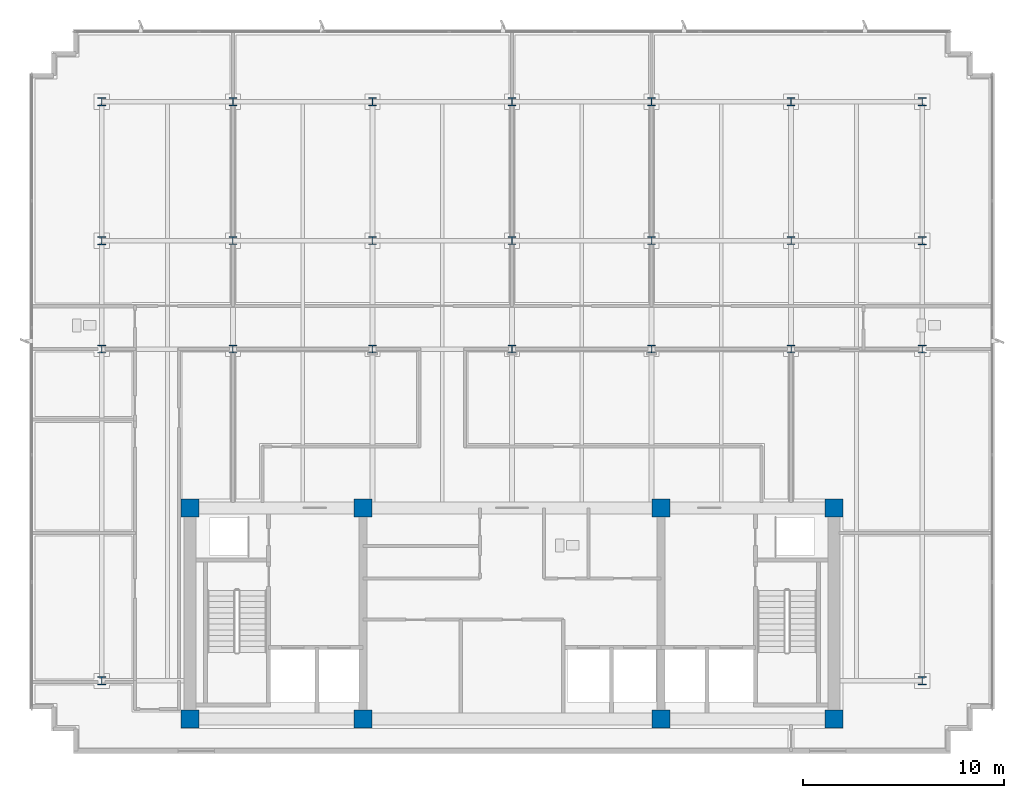
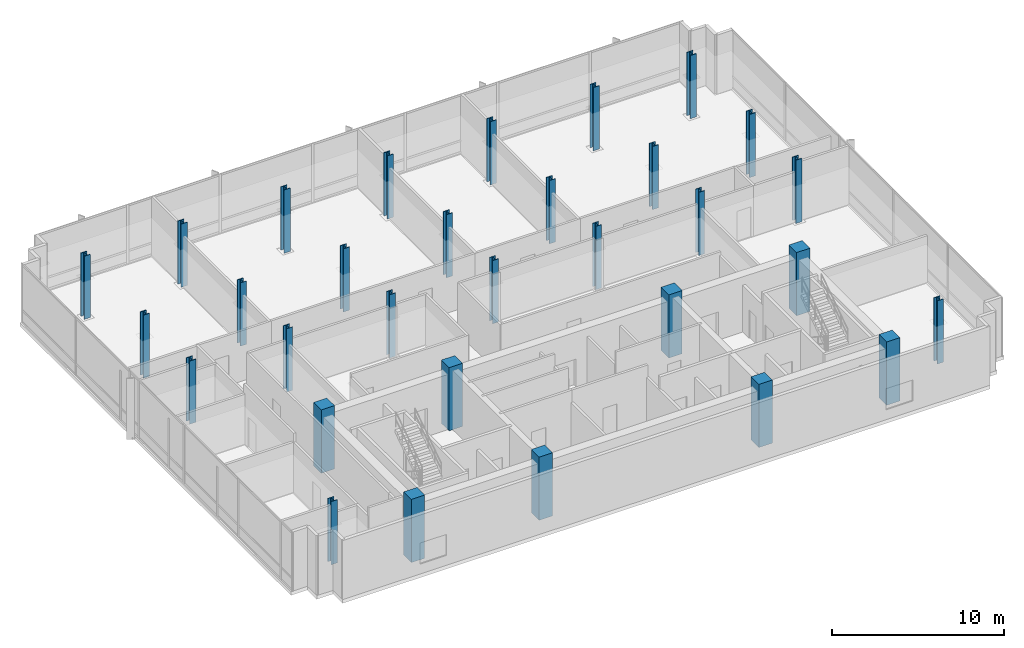
# One storey, part 1 of 17: 31 columns.
"""IFC4 building model written with IfcOpenShell, lengths in metres."""

from ifc_helpers import new_model, si_unit, direction, frame, origin, origin_2d, place, context, subcontext, project, spatial, rectangle, i_section, extrude, material, material_profile, profile_set, type_object, element, save


model = new_model("IFC4")

# Units and contexts
model_context = context("Model", 3, precision=1e-05, world=origin(), true_north=direction((0.0, 1.0)))
body_context = subcontext(model_context, "Body", "Model", "MODEL_VIEW")
ifc_project = project(units=[si_unit("LENGTHUNIT", "METRE"), si_unit("AREAUNIT", "SQUARE_METRE"), si_unit("VOLUMEUNIT", "CUBIC_METRE"), si_unit("PLANEANGLEUNIT", "RADIAN"), si_unit("MASSUNIT", "GRAM", prefix="KILO")], contexts=[model_context])

# Site, building, storey
site_placement = place(None, origin())
site = spatial("IfcSite", under=ifc_project, at=site_placement, CompositionType="ELEMENT")
building_placement = place(site_placement, origin())
building = spatial("IfcBuilding", under=site, at=building_placement, Name="Solmavex Isthmus Hotel", CompositionType="ELEMENT")
storey_placement = place(building_placement, frame((0.0, 0.0, 286.800048828125)))
storey = spatial("IfcBuildingStorey", under=building, at=storey_placement, Name="L78", CompositionType="ELEMENT", Elevation=286.800048828125)

# Columns
ifc_material_1 = material(Name="Concrete C50/60", Category="concrete")
ifc_material_profile_1 = material_profile(ifc_material_1, rectangle(XDim=0.89990234375, YDim=0.89990234375, at=origin_2d()), Name="RC900X900")
ifc_profile_set_1 = profile_set([ifc_material_profile_1], Name="Concrete C50/60")
column_type_1 = type_object("IfcColumnType", Name="COL-CC-900", PredefinedType="COLUMN", material=ifc_profile_set_1)
for number, where, z_axis, x_axis, name in (
    (1, (-16.0, -13.0, 0.0), (0.0, 0.0, 1.0), (1.0, 0.0, 0.0), "Core Pilaster CC-SW L78"),
    (2, (-7.39990234375, -13.0, 0.0), (0.0, 0.0, 1.0), (1.0, 0.0, 0.0), "Core Pilaster CC-S1 L78"),
    (3, (7.39990234375, -13.0, 0.0), (0.0, 0.0, 1.0), (1.0, 0.0, 0.0), "Core Pilaster CC-S2 L78"),
    (4, (16.0, -13.0, 0.0), (0.0, 0.0, 1.0), (1.0, 0.0, 0.0), "Core Pilaster CC-SE L78"),
    (5, (-16.0, -2.5, 0.0), (0.0, 0.0, 1.0), (1.0, 0.0, 0.0), "Core Pilaster CC-NW L78"),
    (6, (-7.39990234375, -2.5, 0.0), (0.0, 0.0, 1.0), (1.0, 0.0, 0.0), "Core Pilaster CC-N1 L78"),
    (7, (7.39990234375, -2.5, 0.0), (0.0, 0.0, 1.0), (1.0, 0.0, 0.0), "Core Pilaster CC-N2 L78"),
    (8, (16.0, -2.5, 0.0), (0.0, 0.0, 1.0), (1.0, 0.0, 0.0), "Core Pilaster CC-NE L78"),
):
    element("IfcColumn", number, at=place(storey_placement, frame(where, z_axis=z_axis, x_axis=x_axis)), inside=storey, type_object=column_type_1, Name=name, PredefinedType="COLUMN", context=body_context, shape_type="SweptSolid", body=[
        extrude(rectangle(XDim=0.89990234375, YDim=0.89990234375, at=origin_2d()), origin(), (0.0, 0.0, 1.0), 4.5),
    ])
ifc_material_2 = material(Name="Steel ASTM A913 Grade 65", Category="steel")
ifc_material_profile_2 = material_profile(ifc_material_2, i_section(OverallWidth=0.4013671875, OverallDepth=0.3994140625, WebThickness=0.02490234375, FlangeThickness=0.03955078125, FilletRadius=0.030517578125, at=origin_2d()), Name="W14X211")
ifc_profile_set_2 = profile_set([ifc_material_profile_2], Name="Steel ASTM A913 Grade 65")
column_type_2 = type_object("IfcColumnType", Name="COL-SC-W14X211", PredefinedType="COLUMN", material=ifc_profile_set_2)
for number, where, z_axis, x_axis, name in (
    (9, (-13.8720703125, 5.39990234375, 0.0), (0.0, 0.0, 1.0), (1.0, 0.0, 0.0), "Tower Column B5-U2V2 L78"),
    (10, (-13.8720703125, 10.7880859375, 0.0), (0.0, 0.0, 1.0), (1.0, 0.0, 0.0), "Tower Column B5-U2V3 L78"),
    (11, (-6.93603515625, 5.39990234375, 0.0), (0.0, 0.0, 1.0), (1.0, 0.0, 0.0), "Tower Column B5-U3V2 L78"),
    (12, (-6.93603515625, 10.7880859375, 0.0), (0.0, 0.0, 1.0), (1.0, 0.0, 0.0), "Tower Column B5-U3V3 L78"),
    (13, (0.0, 5.39990234375, 0.0), (0.0, 0.0, 1.0), (1.0, 0.0, 0.0), "Tower Column B5-U4V2 L78"),
    (14, (0.0, 10.7880859375, 0.0), (0.0, 0.0, 1.0), (1.0, 0.0, 0.0), "Tower Column B5-U4V3 L78"),
    (15, (6.93603515625, 5.39990234375, 0.0), (0.0, 0.0, 1.0), (1.0, 0.0, 0.0), "Tower Column B5-U5V2 L78"),
    (16, (6.93603515625, 10.7880859375, 0.0), (0.0, 0.0, 1.0), (1.0, 0.0, 0.0), "Tower Column B5-U5V3 L78"),
    (17, (13.8720703125, 5.39990234375, 0.0), (0.0, 0.0, 1.0), (1.0, 0.0, 0.0), "Tower Column B5-U6V2 L78"),
    (18, (13.8720703125, 10.7880859375, 0.0), (0.0, 0.0, 1.0), (1.0, 0.0, 0.0), "Tower Column B5-U6V3 L78"),
):
    element("IfcColumn", number, at=place(storey_placement, frame(where, z_axis=z_axis, x_axis=x_axis)), inside=storey, type_object=column_type_2, Name=name, PredefinedType="COLUMN", context=body_context, shape_type="SweptSolid", body=[
        extrude(i_section(OverallWidth=0.4013671875, OverallDepth=0.3994140625, WebThickness=0.02490234375, FlangeThickness=0.03955078125, FilletRadius=0.030517578125, at=origin_2d()), origin(), (0.0, 0.0, 1.0), 4.5),
    ])
ifc_material_profile_3 = material_profile(ifc_material_2, i_section(OverallWidth=0.40625, OverallDepth=0.416015625, WebThickness=0.02978515625, FlangeThickness=0.048095703125, FilletRadius=0.030517578125, at=origin_2d()), Name="W14X257")
ifc_profile_set_3 = profile_set([ifc_material_profile_3], Name="Steel ASTM A913 Grade 65")
column_type_3 = type_object("IfcColumnType", Name="COL-SC-W14X257", PredefinedType="COLUMN", material=ifc_profile_set_3)
for number, where, z_axis, x_axis, name in (
    (19, (-20.39990234375, -11.10009765625, 0.0), (0.0, 0.0, 1.0), (1.0, 0.0, 0.0), "Tower Column B5-U1V1 L78"),
    (20, (-20.39990234375, 5.39990234375, 0.0), (0.0, 0.0, 1.0), (1.0, 0.0, 0.0), "Tower Column B5-U1V2 L78"),
    (21, (-20.39990234375, 10.7880859375, 0.0), (0.0, 0.0, 1.0), (1.0, 0.0, 0.0), "Tower Column B5-U1V3 L78"),
    (22, (-20.39990234375, 17.699951171875, 0.0), (0.0, 0.0, 1.0), (1.0, 0.0, 0.0), "Tower Column B5-U1V4 L78"),
    (23, (-13.8720703125, 17.699951171875, 0.0), (0.0, 0.0, 1.0), (1.0, 0.0, 0.0), "Tower Column B5-U2V4 L78"),
    (24, (-6.93603515625, 17.699951171875, 0.0), (0.0, 0.0, 1.0), (1.0, 0.0, 0.0), "Tower Column B5-U3V4 L78"),
    (25, (0.0, 17.699951171875, 0.0), (0.0, 0.0, 1.0), (1.0, 0.0, 0.0), "Tower Column B5-U4V4 L78"),
    (26, (6.93603515625, 17.699951171875, 0.0), (0.0, 0.0, 1.0), (1.0, 0.0, 0.0), "Tower Column B5-U5V4 L78"),
    (27, (13.8720703125, 17.699951171875, 0.0), (0.0, 0.0, 1.0), (1.0, 0.0, 0.0), "Tower Column B5-U6V4 L78"),
    (28, (20.39990234375, -11.10009765625, 0.0), (0.0, 0.0, 1.0), (1.0, 0.0, 0.0), "Tower Column B5-U7V1 L78"),
    (29, (20.39990234375, 5.39990234375, 0.0), (0.0, 0.0, 1.0), (1.0, 0.0, 0.0), "Tower Column B5-U7V2 L78"),
    (30, (20.39990234375, 10.7880859375, 0.0), (0.0, 0.0, 1.0), (1.0, 0.0, 0.0), "Tower Column B5-U7V3 L78"),
    (31, (20.39990234375, 17.699951171875, 0.0), (0.0, 0.0, 1.0), (1.0, 0.0, 0.0), "Tower Column B5-U7V4 L78"),
):
    element("IfcColumn", number, at=place(storey_placement, frame(where, z_axis=z_axis, x_axis=x_axis)), inside=storey, type_object=column_type_3, Name=name, PredefinedType="COLUMN", context=body_context, shape_type="SweptSolid", body=[
        extrude(i_section(OverallWidth=0.40625, OverallDepth=0.416015625, WebThickness=0.02978515625, FlangeThickness=0.048095703125, FilletRadius=0.030517578125, at=origin_2d()), origin(), (0.0, 0.0, 1.0), 4.5),
    ])

save(model, "model.ifc")
